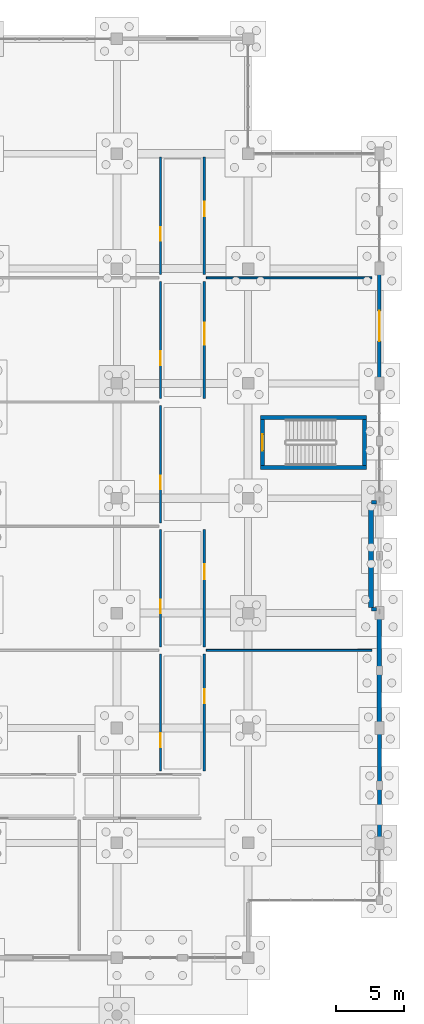
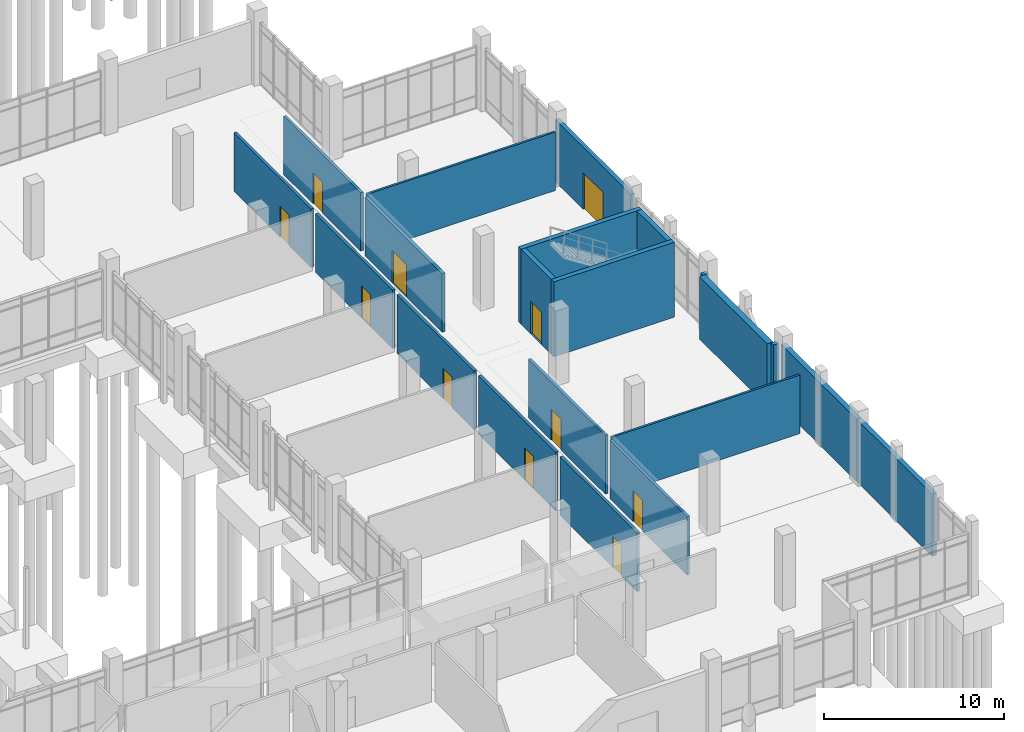
# One storey, part 114 of 136: 21 walls, 11 doors, 11 openings.
"""IFC4 building model written with IfcOpenShell, lengths in metres."""

from ifc_helpers import new_model, si_unit, direction, frame, frame_2d, origin, place, context, subcontext, project, spatial, rectangle, extrude, material, layer, layer_set, type_object, element, fill, save


model = new_model("IFC4")

# Units and contexts
model_context = context("Model", 3, precision=1e-05, world=origin(), true_north=direction((0.0, 1.0)))
body_context = subcontext(model_context, "Body", "Model", "MODEL_VIEW")
ifc_project = project(units=[si_unit("LENGTHUNIT", "METRE"), si_unit("AREAUNIT", "SQUARE_METRE"), si_unit("VOLUMEUNIT", "CUBIC_METRE"), si_unit("PLANEANGLEUNIT", "RADIAN"), si_unit("MASSUNIT", "GRAM", prefix="KILO")], contexts=[model_context])

# Site, building, storey
site_placement = place(None, origin())
site = spatial("IfcSite", under=ifc_project, at=site_placement, CompositionType="ELEMENT")
building_placement = place(site_placement, origin())
building = spatial("IfcBuilding", under=site, at=building_placement, Name="Oolite Switchyard Hospital", CompositionType="ELEMENT")
storey_placement = place(building_placement, origin())
storey = spatial("IfcBuildingStorey", under=building, at=storey_placement, Name="L00", CompositionType="ELEMENT", Elevation=0.0)

# Walls
ifc_material_1 = material(Name="Precast oolitic limestone architectural concrete C40/50", Category="masonry")
ifc_layer_1 = layer(ifc_material_1, 0.260009765625)
ifc_layer_set_1 = layer_set([ifc_layer_1], Name="WAL-EXT-260")
wall_type_1 = type_object("IfcWallType", Name="WAL-EXT-260", PredefinedType="SOLIDWALL", material=ifc_layer_set_1)
for number, where, z_axis, x_axis, name in (
    (1, (211.0, 41.719970703125, 0.0), (0.0, 0.0, 1.0), (-1.0, 0.0, 0.0), "L00 Brace Alcove Cheek Wall 67"),
    (2, (211.0, 33.8798828125, 0.0), (0.0, 0.0, 1.0), (-1.0, 0.0, 0.0), "L00 Brace Alcove Cheek Wall 68"),
):
    element("IfcWall", number, at=place(storey_placement, frame(where, z_axis=z_axis, x_axis=x_axis)), inside=storey, type_object=wall_type_1, Name=name, PredefinedType="SOLIDWALL", context=body_context, shape_type="SweptSolid", body=[
        extrude(rectangle(XDim=0.360107421875, YDim=0.260009765625, at=frame_2d((0.18017578125, 0.0))), origin(), (0.0, 0.0, 1.0), 4.239990234375),
    ])

# Wall, opening, door
wall_1_placement = place(storey_placement, frame((211.199951171875, 58.800048828125, 0.0), z_axis=(0.0, 0.0, 1.0), x_axis=(0.0, -1.0, 0.0)))
wall_1 = element("IfcWall", 3, at=wall_1_placement, inside=storey, type_object=wall_type_1, Name="L00 Exterior Spandrel Wall 70", PredefinedType="SOLIDWALL", context=body_context, shape_type="SweptSolid", body=[
    extrude(rectangle(XDim=8.400146484375, YDim=0.260009765625, at=frame_2d((4.2001953125, 0.0))), origin(), (0.0, 0.0, 1.0), 4.239990234375),
])
opening_1_placement = place(wall_1_placement, frame((3.10009765625, 0.0, 0.0)))
opening_1 = element("IfcOpeningElement", 4, at=opening_1_placement, cuts=wall_1, Name="Opening EX-19", PredefinedType="OPENING", context=body_context, shape_type="SweptSolid", body=[
    extrude(rectangle(XDim=2.199951171875, YDim=2.5, at=frame_2d((1.10009765625, 1.25))), frame((0.0, 0.14013671875, 0.0), z_axis=(0.0, -1.0, 0.0), x_axis=(1.0, 0.0, 0.0)), (0.0, 0.0, 1.0), 0.280029296875),
])
ifc_material_2 = material(Name="Thermally broken aluminum frame with laminated impact glazing", Category="aluminium")
door_type_1 = type_object("IfcDoorType", Name="DR-EXT-220X250", OperationType="NOTDEFINED", PredefinedType="DOOR", material=ifc_material_2)
door_1_placement = place(opening_1_placement, origin())
door_1 = element("IfcDoor", 5, at=door_1_placement, inside=storey, type_object=door_type_1, Name="L00 Exterior EX EX-19", OperationType="DOUBLE_DOOR_SINGLE_SWING", OverallHeight=2.5, OverallWidth=2.199951171875, PredefinedType="DOOR", context=body_context, shape_type="SweptSolid", body=[
    extrude(rectangle(XDim=2.199951171875, YDim=2.5, at=frame_2d((1.10009765625, 1.25))), frame((0.0, 0.02490234375, 0.0), z_axis=(0.0, -1.0, 0.0), x_axis=(1.0, 0.0, 0.0)), (0.0, 0.0, 1.0), 0.050048828125),
])
fill(opening_1, door_1)

# Walls
ifc_layer_2 = layer(ifc_material_1, 0.300048828125)
ifc_layer_set_2 = layer_set([ifc_layer_2], Name="WAL-EXT-300")
wall_type_2 = type_object("IfcWallType", Name="WAL-EXT-300", PredefinedType="SOLIDWALL", material=ifc_layer_set_2)
wall_2_placement = place(storey_placement, frame((211.199951171875, 25.199951171875, 0.0), z_axis=(0.0, 0.0, 1.0), x_axis=(0.0, -1.0, 0.0)))
element("IfcWall", 6, at=wall_2_placement, inside=storey, type_object=wall_type_2, Name="L00 Exterior Spandrel Wall 65", PredefinedType="SOLIDWALL", context=body_context, shape_type="SweptSolid", body=[
    extrude(rectangle(XDim=8.39990234375, YDim=0.300048828125, at=frame_2d((4.199951171875, 0.0))), origin(), (0.0, 0.0, 1.0), 4.239990234375),
])
ifc_layer_3 = layer(ifc_material_1, 0.320068359375)
ifc_layer_set_3 = layer_set([ifc_layer_3], Name="WAL-EXT-320")
wall_type_3 = type_object("IfcWallType", Name="WAL-EXT-320", PredefinedType="SOLIDWALL", material=ifc_layer_set_3)
wall_3_placement = place(storey_placement, frame((211.199951171875, 33.60009765625, 0.0), z_axis=(0.0, 0.0, 1.0), x_axis=(0.0, -1.0, 0.0)))
element("IfcWall", 7, at=wall_3_placement, inside=storey, type_object=wall_type_3, Name="L00 Exterior Spandrel Wall 66", PredefinedType="SOLIDWALL", context=body_context, shape_type="SweptSolid", body=[
    extrude(rectangle(XDim=8.400146484375, YDim=0.320068359375, at=frame_2d((4.2001953125, 0.0))), origin(), (0.0, 0.0, 1.0), 4.239990234375),
])
ifc_layer_4 = layer(ifc_material_1, 0.3798828125)
ifc_layer_set_4 = layer_set([ifc_layer_4], Name="WAL-EXT-380")
wall_type_4 = type_object("IfcWallType", Name="WAL-EXT-380", PredefinedType="SOLIDWALL", material=ifc_layer_set_4)
wall_4_placement = place(storey_placement, frame((210.580078125, 41.580078125, 0.0), z_axis=(0.0, 0.0, 1.0), x_axis=(0.0, -1.0, 0.0)))
element("IfcWall", 8, at=wall_4_placement, inside=storey, type_object=wall_type_4, Name="L00 Exterior Spandrel Wall 69", PredefinedType="SOLIDWALL", context=body_context, shape_type="SweptSolid", body=[
    extrude(rectangle(XDim=7.56005859375, YDim=0.3798828125, at=frame_2d((3.780029296875, 0.0))), origin(), (0.0, 0.0, 1.0), 4.239990234375),
])
ifc_material_3 = material(Name="Moisture-resistant gypsum board on steel studs", Category="steel")
ifc_layer_5 = layer(ifc_material_3, 0.135009765625)
ifc_layer_set_5 = layer_set([ifc_layer_5], Name="WAL-PART-135")
wall_type_5 = type_object("IfcWallType", Name="WAL-PART-135", PredefinedType="PARTITIONING", material=ifc_layer_set_5)
for number, where, z_axis, x_axis, name in (
    (9, (198.550048828125, 30.8798828125, 0.0), (0.0, 0.0, 1.0), (1.0, 0.0, 0.0), "L00 Interior Partition 128"),
    (10, (198.550048828125, 58.1201171875, 0.0), (0.0, 0.0, 1.0), (1.0, 0.0, 0.0), "L00 Interior Partition 137"),
):
    element("IfcWall", number, at=place(storey_placement, frame(where, z_axis=z_axis, x_axis=x_axis)), inside=storey, type_object=wall_type_5, Name=name, PredefinedType="PARTITIONING", context=body_context, shape_type="SweptSolid", body=[
        extrude(rectangle(XDim=12.099853515625, YDim=0.135009765625, at=frame_2d((6.0498046875, 0.0))), origin(), (0.0, 0.0, 1.0), 3.97998046875),
    ])

# Wall, opening, door
ifc_layer_6 = layer(ifc_material_3, 0.1650390625)
ifc_layer_set_6 = layer_set([ifc_layer_6], Name="WAL-PART-165")
wall_type_6 = type_object("IfcWallType", Name="WAL-PART-165", PredefinedType="PARTITIONING", material=ifc_layer_set_6)
wall_5_placement = place(storey_placement, frame((195.199951171875, 22.050048828125, 0.0), z_axis=(0.0, 0.0, 1.0), x_axis=(0.0, 1.0, 0.0)))
wall_5 = element("IfcWall", 11, at=wall_5_placement, inside=storey, type_object=wall_type_6, Name="L00 Interior Partition 123", PredefinedType="PARTITIONING", context=body_context, shape_type="SweptSolid", body=[
    extrude(rectangle(XDim=8.579833984375, YDim=0.1650390625, at=frame_2d((4.2900390625, 0.0))), origin(), (0.0, 0.0, 1.0), 3.97998046875),
])
opening_2_placement = place(wall_5_placement, frame((1.75, 0.0, 0.0)))
opening_2 = element("IfcOpeningElement", 12, at=opening_2_placement, cuts=wall_5, Name="Opening D-0075", PredefinedType="OPENING", context=body_context, shape_type="SweptSolid", body=[
    extrude(rectangle(XDim=1.0, YDim=2.10009765625, at=frame_2d((0.5, 1.050048828125))), frame((0.0, 0.092529296875, 0.0), z_axis=(0.0, -1.0, 0.0), x_axis=(1.0, 0.0, 0.0)), (0.0, 0.0, 1.0), 0.18505859375),
])
ifc_material_4 = material(Name="Solid-core antimicrobial hardwood leaf in steel frame", Category="steel")
door_type_2 = type_object("IfcDoorType", Name="DR-EXAM-100X210", OperationType="NOTDEFINED", PredefinedType="DOOR", material=ifc_material_4)
door_2_placement = place(opening_2_placement, origin())
door_2 = element("IfcDoor", 13, at=door_2_placement, inside=storey, type_object=door_type_2, Name="L00 Interior Door D-0075", OperationType="SINGLE_SWING_LEFT", OverallHeight=2.10009765625, OverallWidth=1.0, PredefinedType="DOOR", context=body_context, shape_type="SweptSolid", body=[
    extrude(rectangle(XDim=1.0, YDim=2.10009765625, at=frame_2d((0.5, 1.050048828125))), frame((0.0, 0.02490234375, 0.0), z_axis=(0.0, -1.0, 0.0), x_axis=(1.0, 0.0, 0.0)), (0.0, 0.0, 1.0), 0.050048828125),
])
fill(opening_2, door_2)

wall_6_placement = place(storey_placement, frame((198.39990234375, 22.050048828125, 0.0), z_axis=(0.0, 0.0, 1.0), x_axis=(0.0, 1.0, 0.0)))
wall_6 = element("IfcWall", 14, at=wall_6_placement, inside=storey, type_object=wall_type_6, Name="L00 Interior Partition 124", PredefinedType="PARTITIONING", context=body_context, shape_type="SweptSolid", body=[
    extrude(rectangle(XDim=8.579833984375, YDim=0.1650390625, at=frame_2d((4.2900390625, 0.0))), origin(), (0.0, 0.0, 1.0), 3.97998046875),
])
opening_3_placement = place(wall_6_placement, frame((4.949951171875, 0.0, 0.0)))
opening_3 = element("IfcOpeningElement", 15, at=opening_3_placement, cuts=wall_6, Name="Opening D-0076", PredefinedType="OPENING", context=body_context, shape_type="SweptSolid", body=[
    extrude(rectangle(XDim=1.050048828125, YDim=2.10009765625, at=frame_2d((0.52490234375, 1.050048828125))), frame((0.0, 0.092529296875, 0.0), z_axis=(0.0, -1.0, 0.0), x_axis=(1.0, 0.0, 0.0)), (0.0, 0.0, 1.0), 0.18505859375),
])
door_type_3 = type_object("IfcDoorType", Name="DR-EXAM-105X210", OperationType="NOTDEFINED", PredefinedType="DOOR", material=ifc_material_4)
door_3_placement = place(opening_3_placement, origin())
door_3 = element("IfcDoor", 16, at=door_3_placement, inside=storey, type_object=door_type_3, Name="L00 Interior Door D-0076", OperationType="SINGLE_SWING_RIGHT", OverallHeight=2.10009765625, OverallWidth=1.050048828125, PredefinedType="DOOR", context=body_context, shape_type="SweptSolid", body=[
    extrude(rectangle(XDim=1.050048828125, YDim=2.10009765625, at=frame_2d((0.52490234375, 1.050048828125))), frame((0.0, 0.02490234375, 0.0), z_axis=(0.0, -1.0, 0.0), x_axis=(1.0, 0.0, 0.0)), (0.0, 0.0, 1.0), 0.050048828125),
])
fill(opening_3, door_3)

wall_7_placement = place(storey_placement, frame((195.199951171875, 31.1298828125, 0.0), z_axis=(0.0, 0.0, 1.0), x_axis=(0.0, 1.0, 0.0)))
wall_7 = element("IfcWall", 17, at=wall_7_placement, inside=storey, type_object=wall_type_6, Name="L00 Interior Partition 125", PredefinedType="PARTITIONING", context=body_context, shape_type="SweptSolid", body=[
    extrude(rectangle(XDim=8.580078125, YDim=0.1650390625, at=frame_2d((4.2900390625, 0.0))), origin(), (0.0, 0.0, 1.0), 3.97998046875),
])
opening_4_placement = place(wall_7_placement, frame((2.449951171875, 0.0, 0.0)))
opening_4 = element("IfcOpeningElement", 18, at=opening_4_placement, cuts=wall_7, Name="Opening D-0077", PredefinedType="OPENING", context=body_context, shape_type="SweptSolid", body=[
    extrude(rectangle(XDim=1.0, YDim=2.199951171875, at=frame_2d((0.5, 1.10009765625))), frame((0.0, 0.092529296875, 0.0), z_axis=(0.0, -1.0, 0.0), x_axis=(1.0, 0.0, 0.0)), (0.0, 0.0, 1.0), 0.18505859375),
])
door_type_4 = type_object("IfcDoorType", Name="DR-OFF-100X220", OperationType="NOTDEFINED", PredefinedType="DOOR", material=ifc_material_4)
door_4_placement = place(opening_4_placement, origin())
door_4 = element("IfcDoor", 19, at=door_4_placement, inside=storey, type_object=door_type_4, Name="L00 Interior Door D-0077", OperationType="SINGLE_SWING_RIGHT", OverallHeight=2.199951171875, OverallWidth=1.0, PredefinedType="DOOR", context=body_context, shape_type="SweptSolid", body=[
    extrude(rectangle(XDim=1.0, YDim=2.199951171875, at=frame_2d((0.5, 1.10009765625))), frame((0.0, 0.02490234375, 0.0), z_axis=(0.0, -1.0, 0.0), x_axis=(1.0, 0.0, 0.0)), (0.0, 0.0, 1.0), 0.050048828125),
])
fill(opening_4, door_4)

wall_8_placement = place(storey_placement, frame((198.39990234375, 31.1298828125, 0.0), z_axis=(0.0, 0.0, 1.0), x_axis=(0.0, 1.0, 0.0)))
wall_8 = element("IfcWall", 20, at=wall_8_placement, inside=storey, type_object=wall_type_6, Name="L00 Interior Partition 127", PredefinedType="PARTITIONING", context=body_context, shape_type="SweptSolid", body=[
    extrude(rectangle(XDim=8.580078125, YDim=0.1650390625, at=frame_2d((4.2900390625, 0.0))), origin(), (0.0, 0.0, 1.0), 3.97998046875),
])
opening_5_placement = place(wall_8_placement, frame((4.949951171875, 0.0, 0.0)))
opening_5 = element("IfcOpeningElement", 21, at=opening_5_placement, cuts=wall_8, Name="Opening D-0078", PredefinedType="OPENING", context=body_context, shape_type="SweptSolid", body=[
    extrude(rectangle(XDim=1.10009765625, YDim=2.10009765625, at=frame_2d((0.550048828125, 1.050048828125))), frame((0.0, 0.092529296875, 0.0), z_axis=(0.0, -1.0, 0.0), x_axis=(1.0, 0.0, 0.0)), (0.0, 0.0, 1.0), 0.18505859375),
])
door_type_5 = type_object("IfcDoorType", Name="DR-CLIN-110X210", OperationType="NOTDEFINED", PredefinedType="DOOR", material=ifc_material_4)
door_5_placement = place(opening_5_placement, origin())
door_5 = element("IfcDoor", 22, at=door_5_placement, inside=storey, type_object=door_type_5, Name="L00 Interior Door D-0078", OperationType="SINGLE_SWING_LEFT", OverallHeight=2.10009765625, OverallWidth=1.10009765625, PredefinedType="DOOR", context=body_context, shape_type="SweptSolid", body=[
    extrude(rectangle(XDim=1.10009765625, YDim=2.10009765625, at=frame_2d((0.550048828125, 1.050048828125))), frame((0.0, 0.02490234375, 0.0), z_axis=(0.0, -1.0, 0.0), x_axis=(1.0, 0.0, 0.0)), (0.0, 0.0, 1.0), 0.050048828125),
])
fill(opening_5, door_5)

wall_9_placement = place(storey_placement, frame((195.199951171875, 40.2099609375, 0.0), z_axis=(0.0, 0.0, 1.0), x_axis=(0.0, 1.0, 0.0)))
wall_9 = element("IfcWall", 23, at=wall_9_placement, inside=storey, type_object=wall_type_6, Name="L00 Interior Partition 129", PredefinedType="PARTITIONING", context=body_context, shape_type="SweptSolid", body=[
    extrude(rectangle(XDim=8.580078125, YDim=0.1650390625, at=frame_2d((4.2900390625, 0.0))), origin(), (0.0, 0.0, 1.0), 3.97998046875),
])
opening_6_placement = place(wall_9_placement, frame((2.449951171875, 0.0, 0.0)))
opening_6 = element("IfcOpeningElement", 24, at=opening_6_placement, cuts=wall_9, Name="Opening D-0079", PredefinedType="OPENING", context=body_context, shape_type="SweptSolid", body=[
    extrude(rectangle(XDim=1.0, YDim=2.10009765625, at=frame_2d((0.5, 1.050048828125))), frame((0.0, 0.092529296875, 0.0), z_axis=(0.0, -1.0, 0.0), x_axis=(1.0, 0.0, 0.0)), (0.0, 0.0, 1.0), 0.18505859375),
])
door_6_placement = place(opening_6_placement, origin())
door_6 = element("IfcDoor", 25, at=door_6_placement, inside=storey, type_object=door_type_2, Name="L00 Interior Door D-0079", OperationType="SINGLE_SWING_LEFT", OverallHeight=2.10009765625, OverallWidth=1.0, PredefinedType="DOOR", context=body_context, shape_type="SweptSolid", body=[
    extrude(rectangle(XDim=1.0, YDim=2.10009765625, at=frame_2d((0.5, 1.050048828125))), frame((0.0, 0.02490234375, 0.0), z_axis=(0.0, -1.0, 0.0), x_axis=(1.0, 0.0, 0.0)), (0.0, 0.0, 1.0), 0.050048828125),
])
fill(opening_6, door_6)

wall_10_placement = place(storey_placement, frame((195.199951171875, 49.2900390625, 0.0), z_axis=(0.0, 0.0, 1.0), x_axis=(0.0, 1.0, 0.0)))
wall_10 = element("IfcWall", 26, at=wall_10_placement, inside=storey, type_object=wall_type_6, Name="L00 Interior Partition 131", PredefinedType="PARTITIONING", context=body_context, shape_type="SweptSolid", body=[
    extrude(rectangle(XDim=8.580078125, YDim=0.1650390625, at=frame_2d((4.2900390625, 0.0))), origin(), (0.0, 0.0, 1.0), 3.97998046875),
])
opening_7_placement = place(wall_10_placement, frame((2.449951171875, 0.0, 0.0)))
opening_7 = element("IfcOpeningElement", 27, at=opening_7_placement, cuts=wall_10, Name="Opening D-0080", PredefinedType="OPENING", context=body_context, shape_type="SweptSolid", body=[
    extrude(rectangle(XDim=1.0, YDim=2.199951171875, at=frame_2d((0.5, 1.10009765625))), frame((0.0, 0.092529296875, 0.0), z_axis=(0.0, -1.0, 0.0), x_axis=(1.0, 0.0, 0.0)), (0.0, 0.0, 1.0), 0.18505859375),
])
door_7_placement = place(opening_7_placement, origin())
door_7 = element("IfcDoor", 28, at=door_7_placement, inside=storey, type_object=door_type_4, Name="L00 Interior Door D-0080", OperationType="SINGLE_SWING_RIGHT", OverallHeight=2.199951171875, OverallWidth=1.0, PredefinedType="DOOR", context=body_context, shape_type="SweptSolid", body=[
    extrude(rectangle(XDim=1.0, YDim=2.199951171875, at=frame_2d((0.5, 1.10009765625))), frame((0.0, 0.02490234375, 0.0), z_axis=(0.0, -1.0, 0.0), x_axis=(1.0, 0.0, 0.0)), (0.0, 0.0, 1.0), 0.050048828125),
])
fill(opening_7, door_7)

wall_11_placement = place(storey_placement, frame((195.199951171875, 58.3701171875, 0.0), z_axis=(0.0, 0.0, 1.0), x_axis=(0.0, 1.0, 0.0)))
wall_11 = element("IfcWall", 29, at=wall_11_placement, inside=storey, type_object=wall_type_6, Name="L00 Interior Partition 134", PredefinedType="PARTITIONING", context=body_context, shape_type="SweptSolid", body=[
    extrude(rectangle(XDim=8.579833984375, YDim=0.1650390625, at=frame_2d((4.2900390625, 0.0))), origin(), (0.0, 0.0, 1.0), 3.97998046875),
])
opening_8_placement = place(wall_11_placement, frame((2.449951171875, 0.0, 0.0)))
opening_8 = element("IfcOpeningElement", 30, at=opening_8_placement, cuts=wall_11, Name="Opening D-0082", PredefinedType="OPENING", context=body_context, shape_type="SweptSolid", body=[
    extrude(rectangle(XDim=1.0, YDim=2.10009765625, at=frame_2d((0.5, 1.050048828125))), frame((0.0, 0.092529296875, 0.0), z_axis=(0.0, -1.0, 0.0), x_axis=(1.0, 0.0, 0.0)), (0.0, 0.0, 1.0), 0.18505859375),
])
door_8_placement = place(opening_8_placement, origin())
door_8 = element("IfcDoor", 31, at=door_8_placement, inside=storey, type_object=door_type_2, Name="L00 Interior Door D-0082", OperationType="SINGLE_SWING_LEFT", OverallHeight=2.10009765625, OverallWidth=1.0, PredefinedType="DOOR", context=body_context, shape_type="SweptSolid", body=[
    extrude(rectangle(XDim=1.0, YDim=2.10009765625, at=frame_2d((0.5, 1.050048828125))), frame((0.0, 0.02490234375, 0.0), z_axis=(0.0, -1.0, 0.0), x_axis=(1.0, 0.0, 0.0)), (0.0, 0.0, 1.0), 0.050048828125),
])
fill(opening_8, door_8)

wall_12_placement = place(storey_placement, frame((198.39990234375, 58.3701171875, 0.0), z_axis=(0.0, 0.0, 1.0), x_axis=(0.0, 1.0, 0.0)))
wall_12 = element("IfcWall", 32, at=wall_12_placement, inside=storey, type_object=wall_type_6, Name="L00 Interior Partition 136", PredefinedType="PARTITIONING", context=body_context, shape_type="SweptSolid", body=[
    extrude(rectangle(XDim=8.579833984375, YDim=0.1650390625, at=frame_2d((4.2900390625, 0.0))), origin(), (0.0, 0.0, 1.0), 3.97998046875),
])
opening_9_placement = place(wall_12_placement, frame((4.25, 0.0, 0.0)))
opening_9 = element("IfcOpeningElement", 33, at=opening_9_placement, cuts=wall_12, Name="Opening D-0083", PredefinedType="OPENING", context=body_context, shape_type="SweptSolid", body=[
    extrude(rectangle(XDim=1.050048828125, YDim=2.10009765625, at=frame_2d((0.52490234375, 1.050048828125))), frame((0.0, 0.092529296875, 0.0), z_axis=(0.0, -1.0, 0.0), x_axis=(1.0, 0.0, 0.0)), (0.0, 0.0, 1.0), 0.18505859375),
])
door_9_placement = place(opening_9_placement, origin())
door_9 = element("IfcDoor", 34, at=door_9_placement, inside=storey, type_object=door_type_3, Name="L00 Interior Door D-0083", OperationType="SINGLE_SWING_RIGHT", OverallHeight=2.10009765625, OverallWidth=1.050048828125, PredefinedType="DOOR", context=body_context, shape_type="SweptSolid", body=[
    extrude(rectangle(XDim=1.050048828125, YDim=2.10009765625, at=frame_2d((0.52490234375, 1.050048828125))), frame((0.0, 0.02490234375, 0.0), z_axis=(0.0, -1.0, 0.0), x_axis=(1.0, 0.0, 0.0)), (0.0, 0.0, 1.0), 0.050048828125),
])
fill(opening_9, door_9)

# Walls
ifc_material_5 = material(Name="Concrete C50/60", Category="concrete")
ifc_layer_7 = layer(ifc_material_5, 0.300048828125)
ifc_layer_set_7 = layer_set([ifc_layer_7], Name="WAL-SHR-300")
wall_type_7 = type_object("IfcWallType", Name="WAL-SHR-300", PredefinedType="SHEAR", material=ifc_layer_set_7)
wall_13_placement = place(storey_placement, frame((202.5, 44.25, 0.0), z_axis=(0.0, 0.0, 1.0), x_axis=(1.0, 0.0, 0.0)))
element("IfcWall", 35, at=wall_13_placement, inside=storey, type_object=wall_type_7, Name="L00 Core Shear Wall ST-06", PredefinedType="SHEAR", context=body_context, shape_type="SweptSolid", body=[
    extrude(rectangle(XDim=7.75, YDim=0.300048828125, at=frame_2d((3.875, 0.0))), origin(), (0.0, 0.0, 1.0), 5.10009765625),
])
wall_14_placement = place(storey_placement, frame((210.10009765625, 44.39990234375, 0.0), z_axis=(0.0, 0.0, 1.0), x_axis=(0.0, 1.0, 0.0)))
element("IfcWall", 36, at=wall_14_placement, inside=storey, type_object=wall_type_7, Name="L00 Core Shear Wall ST-06", PredefinedType="SHEAR", context=body_context, shape_type="SweptSolid", body=[
    extrude(rectangle(XDim=3.360107421875, YDim=0.300048828125, at=frame_2d((1.68017578125, 0.0))), origin(), (0.0, 0.0, 1.0), 5.10009765625),
])
wall_15_placement = place(storey_placement, frame((210.25, 47.909912109375, 0.0), z_axis=(0.0, 0.0, 1.0), x_axis=(-1.0, 0.0, 0.0)))
element("IfcWall", 37, at=wall_15_placement, inside=storey, type_object=wall_type_7, Name="L00 Core Shear Wall ST-06", PredefinedType="SHEAR", context=body_context, shape_type="SweptSolid", body=[
    extrude(rectangle(XDim=7.75, YDim=0.300048828125, at=frame_2d((3.875, 0.0))), origin(), (0.0, 0.0, 1.0), 5.10009765625),
])

# Wall, opening, door
wall_16_placement = place(storey_placement, frame((202.64990234375, 47.760009765625, 0.0), z_axis=(0.0, 0.0, 1.0), x_axis=(0.0, -1.0, 0.0)))
wall_16 = element("IfcWall", 38, at=wall_16_placement, inside=storey, type_object=wall_type_7, Name="L00 Core Shear Wall ST-06", PredefinedType="SHEAR", context=body_context, shape_type="SweptSolid", body=[
    extrude(rectangle(XDim=3.360107421875, YDim=0.300048828125, at=frame_2d((1.68017578125, 0.0))), origin(), (0.0, 0.0, 1.0), 5.10009765625),
])
opening_10_placement = place(wall_16_placement, frame((1.080078125, 0.0, 0.0)))
opening_10 = element("IfcOpeningElement", 39, at=opening_10_placement, cuts=wall_16, Name="Opening SD-038", PredefinedType="OPENING", context=body_context, shape_type="SweptSolid", body=[
    extrude(rectangle(XDim=1.199951171875, YDim=2.199951171875, at=frame_2d((0.60009765625, 1.10009765625))), frame((0.0, 0.16015625, 0.0), z_axis=(0.0, -1.0, 0.0), x_axis=(1.0, 0.0, 0.0)), (0.0, 0.0, 1.0), 0.320068359375),
])
ifc_material_6 = material(Name="Hollow metal fire-rated steel door assembly", Category="steel")
door_type_6 = type_object("IfcDoorType", Name="DR-STR-120X220", OperationType="NOTDEFINED", PredefinedType="DOOR", material=ifc_material_6)
door_10_placement = place(opening_10_placement, origin())
door_10 = element("IfcDoor", 40, at=door_10_placement, inside=storey, type_object=door_type_6, Name="L00 ST-06 Exit Stair Door SD-038", OperationType="SINGLE_SWING_RIGHT", OverallHeight=2.199951171875, OverallWidth=1.199951171875, PredefinedType="DOOR", context=body_context, shape_type="SweptSolid", body=[
    extrude(rectangle(XDim=1.199951171875, YDim=2.199951171875, at=frame_2d((0.60009765625, 1.10009765625))), frame((0.0, 0.02490234375, 0.0), z_axis=(0.0, -1.0, 0.0), x_axis=(1.0, 0.0, 0.0)), (0.0, 0.0, 1.0), 0.050048828125),
])
fill(opening_10, door_10)

ifc_layer_8 = layer(ifc_material_3, 0.199951171875)
ifc_layer_set_8 = layer_set([ifc_layer_8], Name="WAL-SMK-200")
wall_type_8 = type_object("IfcWallType", Name="WAL-SMK-200", PredefinedType="PARTITIONING", material=ifc_layer_set_8)
wall_17_placement = place(storey_placement, frame((198.39990234375, 49.2900390625, 0.0), z_axis=(0.0, 0.0, 1.0), x_axis=(0.0, 1.0, 0.0)))
wall_17 = element("IfcWall", 41, at=wall_17_placement, inside=storey, type_object=wall_type_8, Name="L00 Interior Partition 133", PredefinedType="PARTITIONING", context=body_context, shape_type="SweptSolid", body=[
    extrude(rectangle(XDim=8.580078125, YDim=0.199951171875, at=frame_2d((4.2900390625, 0.0))), origin(), (0.0, 0.0, 1.0), 3.97998046875),
])
opening_11_placement = place(wall_17_placement, frame((3.949951171875, 0.0, 0.0)))
opening_11 = element("IfcOpeningElement", 42, at=opening_11_placement, cuts=wall_17, Name="Opening D-0081", PredefinedType="OPENING", context=body_context, shape_type="SweptSolid", body=[
    extrude(rectangle(XDim=1.60009765625, YDim=2.199951171875, at=frame_2d((0.800048828125, 1.10009765625))), frame((0.0, 0.10986328125, 0.0), z_axis=(0.0, -1.0, 0.0), x_axis=(1.0, 0.0, 0.0)), (0.0, 0.0, 1.0), 0.219970703125),
])
door_type_7 = type_object("IfcDoorType", Name="DR-DBL-160X220", OperationType="NOTDEFINED", PredefinedType="DOOR", material=ifc_material_6)
door_11_placement = place(opening_11_placement, origin())
door_11 = element("IfcDoor", 43, at=door_11_placement, inside=storey, type_object=door_type_7, Name="L00 Interior Door D-0081", OperationType="DOUBLE_DOOR_SINGLE_SWING", OverallHeight=2.199951171875, OverallWidth=1.60009765625, PredefinedType="DOOR", context=body_context, shape_type="SweptSolid", body=[
    extrude(rectangle(XDim=1.60009765625, YDim=2.199951171875, at=frame_2d((0.800048828125, 1.10009765625))), frame((0.0, 0.02490234375, 0.0), z_axis=(0.0, -1.0, 0.0), x_axis=(1.0, 0.0, 0.0)), (0.0, 0.0, 1.0), 0.050048828125),
])
fill(opening_11, door_11)

save(model, "model.ifc")
